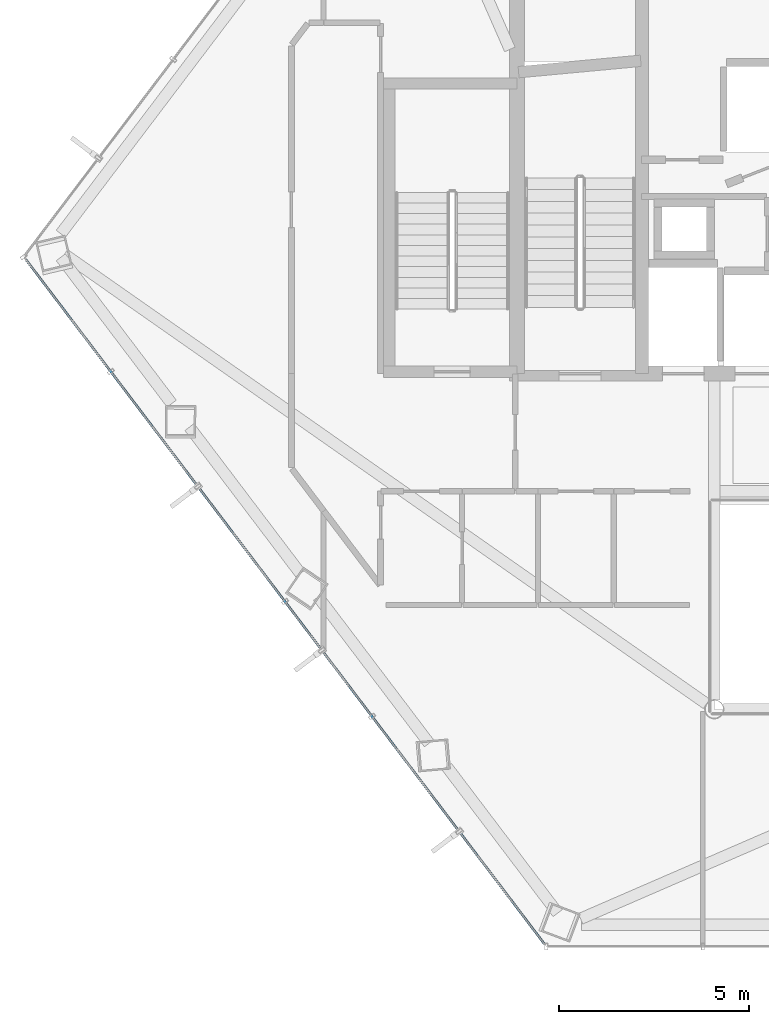
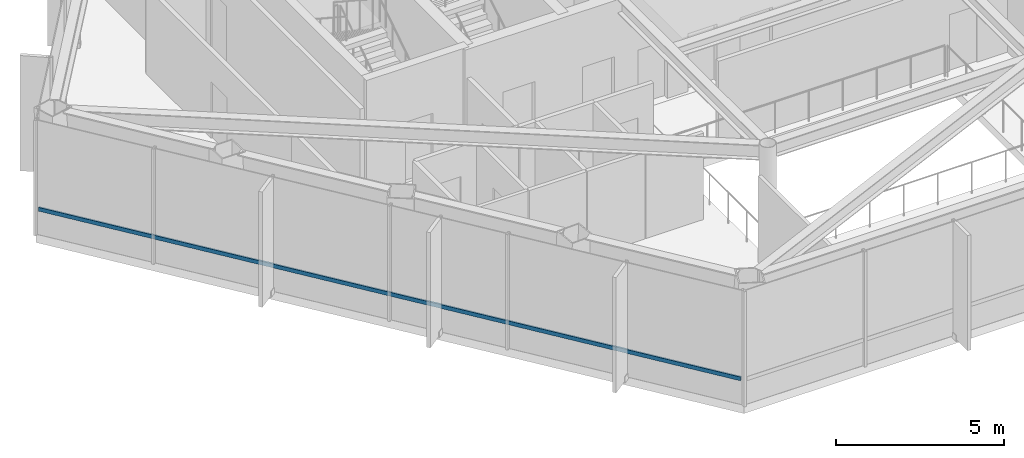
# One storey, part 3 of 25: 1 member, 1 element without a shape of its own.
"""IFC4 building model written with IfcOpenShell, lengths in metres."""

import ifcopenshell
import ifcopenshell.guid

model = None  # the IFC model being written
_history = None  # IfcOwnerHistory: only IFC2X3 demands one
_inside = {}  # id of a spatial element -> (the spatial element, [elements in it])
_under = {}  # id of a project, library or spatial element -> (it, [spatial elements below it])
_declared = {}  # id of a project -> (the project, [libraries it declares])
_typed = {}  # id of a type object -> (the type object, [elements of that type])
_made_of = {}  # id of a material, layer set ... -> (it, [elements and type objects made of it])


def new_model(schema):
    """Start an empty IFC model of exactly this schema.

    Asked for "IFC4X3", IfcOpenShell would pick the latest addendum, in which some entities
    have other attributes; the version numbers below select the first issue.
    IFC2X3 requires an IfcOwnerHistory on every rooted entity: one is made here for all.
    """
    global model, _history
    if schema == "IFC4X3":
        model = ifcopenshell.file(schema_version=(4, 3, 0, 0))
    else:
        model = ifcopenshell.file(schema=schema)
    _inside.clear()
    _under.clear()
    _declared.clear()
    _typed.clear()
    _made_of.clear()
    _history = None
    if model.schema == "IFC2X3":
        org = make("IfcOrganization", Name="unknown")
        user = make(
            "IfcPersonAndOrganization",
            ThePerson=make("IfcPerson", FamilyName="unknown"),
            TheOrganization=org,
        )
        app = make(
            "IfcApplication",
            ApplicationDeveloper=org,
            Version="unknown",
            ApplicationFullName="unknown",
            ApplicationIdentifier="unknown",
        )
        _history = make(
            "IfcOwnerHistory",
            OwningUser=user,
            OwningApplication=app,
            ChangeAction="ADDED",
            CreationDate=0,
        )
    return model


def make(cls, **values):
    """One entity of the class cls with the attributes given. An attribute that is None is left unset."""
    return model.create_entity(
        cls, **{name: value for name, value in values.items() if value is not None}
    )


def rooted(cls, **values):
    """An entity with a GlobalId (a new one), such as an element, a storey or a relation."""
    return make(cls, GlobalId=ifcopenshell.guid.new(), OwnerHistory=_history, **values)


def si_unit(unit_type, name, prefix=None):
    """IfcSIUnit, for example si_unit("LENGTHUNIT", "METRE", prefix="MILLI")."""
    return make("IfcSIUnit", UnitType=unit_type, Prefix=prefix, Name=name)


def assignment(units):
    """IfcUnitAssignment: the units of a project."""
    return None if units is None else make("IfcUnitAssignment", Units=units)


def point(xyz):
    """IfcCartesianPoint."""
    return None if xyz is None else make("IfcCartesianPoint", Coordinates=xyz)


def direction(xyz):
    """IfcDirection."""
    return None if xyz is None else make("IfcDirection", DirectionRatios=xyz)


def frame(location, z_axis=None, x_axis=None):
    """IfcAxis2Placement3D, a coordinate frame: its origin and axes. An axis left out is left unset."""
    return make(
        "IfcAxis2Placement3D",
        Location=point(location),
        Axis=direction(z_axis),
        RefDirection=direction(x_axis),
    )


def frame_2d(location, x_axis=None):
    """IfcAxis2Placement2D, a coordinate frame in the plane: its origin and x axis."""
    return make(
        "IfcAxis2Placement2D", Location=point(location), RefDirection=direction(x_axis)
    )


def origin():
    """The frame at (0, 0, 0) with its axes left unset."""
    return frame((0.0, 0.0, 0.0))


def origin_2d():
    """The frame at (0, 0) in the plane with its x axis left unset."""
    return frame_2d((0.0, 0.0))


def place(relative_to, where):
    """IfcLocalPlacement: puts the frame where relative to a parent placement (None: the world)."""
    return make(
        "IfcLocalPlacement", PlacementRelTo=relative_to, RelativePlacement=where
    )


def context(
    kind, dimensions, precision=None, world=None, true_north=None, identifier=None
):
    """IfcGeometricRepresentationContext, for example the 3D "Model" context."""
    return make(
        "IfcGeometricRepresentationContext",
        ContextIdentifier=identifier,
        ContextType=kind,
        CoordinateSpaceDimension=dimensions,
        Precision=precision,
        WorldCoordinateSystem=world,
        TrueNorth=true_north,
    )


def subcontext(parent, identifier, kind, view, scale=None):
    """IfcGeometricRepresentationSubContext, for example "Body" below "Model"."""
    return make(
        "IfcGeometricRepresentationSubContext",
        ContextIdentifier=identifier,
        ContextType=kind,
        ParentContext=parent,
        TargetScale=scale,
        TargetView=view,
    )


def project(units=None, contexts=None):
    """IfcProject with its units and contexts."""
    return rooted(
        "IfcProject",
        Name="project",
        RepresentationContexts=contexts,
        UnitsInContext=assignment(units),
    )


def spatial(cls, under=None, at=None, **own):
    """A site, building, storey or space (cls), placed at a placement, below another one or the project."""
    s = rooted(cls, ObjectPlacement=at, **own)
    if under is not None:
        _under.setdefault(under.id(), (under, []))[1].append(s)
    return s


def profile(cls, at=None, kind="AREA", **sizes):
    """A parametric profile (cls). Its sizes go by their IFC names, for example OverallWidth=200.0."""
    return make(cls, ProfileType=kind, Position=at, **sizes)


def hollow_rectangle(**sizes):
    """IfcRectangleHollowProfileDef."""
    return profile("IfcRectangleHollowProfileDef", **sizes)


def extrude(swept, where, along, depth):
    """IfcExtrudedAreaSolid: the profile swept, set in the frame where, extruded along a direction by depth."""
    return make(
        "IfcExtrudedAreaSolid",
        SweptArea=swept,
        Position=where,
        ExtrudedDirection=direction(along),
        Depth=depth,
    )


def shape(context_of_items, identifier, shape_type, items):
    """IfcShapeRepresentation: the items that make up one representation, for example the "Body"."""
    return make(
        "IfcShapeRepresentation",
        ContextOfItems=context_of_items,
        RepresentationIdentifier=identifier,
        RepresentationType=shape_type,
        Items=items,
    )


def material(Name=None, Category=None):
    """IfcMaterial."""
    return make("IfcMaterial", Name=Name, Category=Category)


def layer(
    of_material, thickness, ventilated=None, Name=None, Category=None, Priority=None
):
    """IfcMaterialLayer: one layer of a wall or slab, of a material (None: an air gap)."""
    return make(
        "IfcMaterialLayer",
        Material=of_material,
        LayerThickness=thickness,
        IsVentilated=ventilated,
        Name=Name,
        Category=Category,
        Priority=Priority,
    )


def layer_set(layers, Name=None):
    """IfcMaterialLayerSet."""
    return make("IfcMaterialLayerSet", MaterialLayers=layers, LayerSetName=Name)


def material_profile(
    of_material, cross_section, Name=None, Category=None, Priority=None
):
    """IfcMaterialProfile: a cross section and its material."""
    return make(
        "IfcMaterialProfile",
        Name=Name,
        Material=of_material,
        Profile=cross_section,
        Priority=Priority,
        Category=Category,
    )


def profile_set(profiles, Name=None, composite=None):
    """IfcMaterialProfileSet."""
    return make(
        "IfcMaterialProfileSet",
        Name=Name,
        MaterialProfiles=profiles,
        CompositeProfile=composite,
    )


def made_of(thing, what):
    """Note that an element or type object is made of a material, layer set ...; save() writes the relation."""
    if what is not None:
        _made_of.setdefault(what.id(), (what, []))[1].append(thing)
    return thing


def type_object(cls, material=None, **own):
    """A type object (cls), such as IfcWallType, which elements share."""
    return made_of(rooted(cls, **own), material)


def element(
    cls,
    number,
    at=None,
    inside=None,
    cuts=None,
    type_object=None,
    material=None,
    context=None,
    identifier="Body",
    shape_type=None,
    held_by="IfcProductDefinitionShape",
    body=None,
    shapes=None,
    **own,
):
    """One element of the class cls, such as IfcWall. Its Tag is "e" and its number.

    at: its placement. inside: the storey or other place that contains it. cuts: it is an
    opening in that element (IfcRelVoidsElement). A single representation is given by context,
    identifier, shape_type and body (its items); several are given by shapes. held_by: the class
    of the entity that holds the representations. save() writes the other relations.
    """
    e = rooted(cls, Tag="e%d" % number, ObjectPlacement=at, **own)
    if body is not None:
        shapes = [shape(context, identifier, shape_type, body)]
    if shapes is not None:
        e.Representation = make(held_by, Representations=shapes)
    if inside is not None:
        _inside.setdefault(inside.id(), (inside, []))[1].append(e)
    if cuts is not None:
        rooted(
            "IfcRelVoidsElement", RelatingBuildingElement=cuts, RelatedOpeningElement=e
        )
    if type_object is not None:
        _typed.setdefault(type_object.id(), (type_object, []))[1].append(e)
    return made_of(e, material)


def aggregate(whole, parts):
    """IfcRelAggregates: a whole, such as a stair, and the parts it consists of."""
    return rooted("IfcRelAggregates", RelatingObject=whole, RelatedObjects=parts)


def save(model, path):
    """Write the relations noted so far, then the file.

    IfcRelAggregates (storeys below a building ...), IfcRelContainedInSpatialStructure (elements
    in a storey), IfcRelDefinesByType, IfcRelAssociatesMaterial and IfcRelDeclares: one each for
    every whole, place, type object, material and project.
    """
    for whole, parts in _under.values():
        aggregate(whole, parts)
    for where, things in _inside.values():
        rooted(
            "IfcRelContainedInSpatialStructure",
            RelatedElements=things,
            RelatingStructure=where,
        )
    for kind, things in _typed.values():
        rooted("IfcRelDefinesByType", RelatedObjects=things, RelatingType=kind)
    for what, things in _made_of.values():
        rooted("IfcRelAssociatesMaterial", RelatedObjects=things, RelatingMaterial=what)
    for by, libraries in _declared.values():
        rooted("IfcRelDeclares", RelatingContext=by, RelatedDefinitions=libraries)
    model.write(path)


model = new_model("IFC4")

# Units and contexts
model_context = context("Model", 3, precision=1e-05, world=origin(), true_north=direction((0.0, 1.0)))
body_context = subcontext(model_context, "Body", "Model", "MODEL_VIEW")
ifc_project = project(units=[si_unit("LENGTHUNIT", "METRE"), si_unit("AREAUNIT", "SQUARE_METRE"), si_unit("VOLUMEUNIT", "CUBIC_METRE"), si_unit("PLANEANGLEUNIT", "RADIAN"), si_unit("MASSUNIT", "GRAM", prefix="KILO")], contexts=[model_context])

# Site, building, storey
site_placement = place(None, origin())
site = spatial("IfcSite", under=ifc_project, at=site_placement, CompositionType="ELEMENT")
building_placement = place(site_placement, origin())
building = spatial("IfcBuilding", under=site, at=building_placement, Name="Zarrinselat Tower", CompositionType="ELEMENT")
storey_placement = place(building_placement, frame((0.0, 0.0, 119.0)))
storey = spatial("IfcBuildingStorey", under=building, at=storey_placement, Name="L28", CompositionType="ELEMENT", Elevation=119.0)

# Curtain wall, member
ifc_material_1 = material(Name="Extruded Aluminium Alloy EN AW-6063 T6", Category="aluminium")
ifc_layer = layer(ifc_material_1, 0.195068359375)
ifc_layer_set = layer_set([ifc_layer], Name="Extruded Aluminium Alloy EN AW-6063 T6")
curtain_wall_type = type_object("IfcCurtainWallType", Name="CWS-GDN", PredefinedType="NOTDEFINED", material=ifc_layer_set)
curtain_wall_placement = place(storey_placement, origin())
curtain_wall = element("IfcCurtainWall", 1, at=curtain_wall_placement, inside=storey, type_object=curtain_wall_type, Name="L28 Unitised Curtain Wall CW-L28-E02", PredefinedType="NOTDEFINED")
ifc_material_2 = material(Name="Extruded Aluminium Alloy EN AW-6063 T6", Category="aluminium")
ifc_material_profile = material_profile(ifc_material_2, hollow_rectangle(XDim=0.06005859375, YDim=0.139892578125, WallThickness=0.00390625, at=origin_2d()), Name="RHS 140x60x4")
ifc_profile_set = profile_set([ifc_material_profile], Name="Extruded Aluminium Alloy EN AW-6063 T6")
member_type = type_object("IfcMemberType", Name="MEM-CW-TRN", PredefinedType="USERDEFINED", material=ifc_profile_set)
member_placement = place(storey_placement, frame((29.3134765625, 18.21875, 0.949951171875), z_axis=(-0.603856442177, 0.797093091954, 0.0), x_axis=(-0.797093091954, -0.603856442177, 0.0)))
member = element("IfcMember", 2, at=member_placement, type_object=member_type, Name="CW-L28-E02 Transom 1", ObjectType="TRANSOM", PredefinedType="USERDEFINED", context=body_context, shape_type="SweptSolid", body=[
    extrude(hollow_rectangle(XDim=0.06005859375, YDim=0.139892578125, WallThickness=0.00390625, at=origin_2d()), origin(), (0.0, 0.0, 1.0), 22.63818359375),
])
aggregate(curtain_wall, [member])

save(model, "model.ifc")
